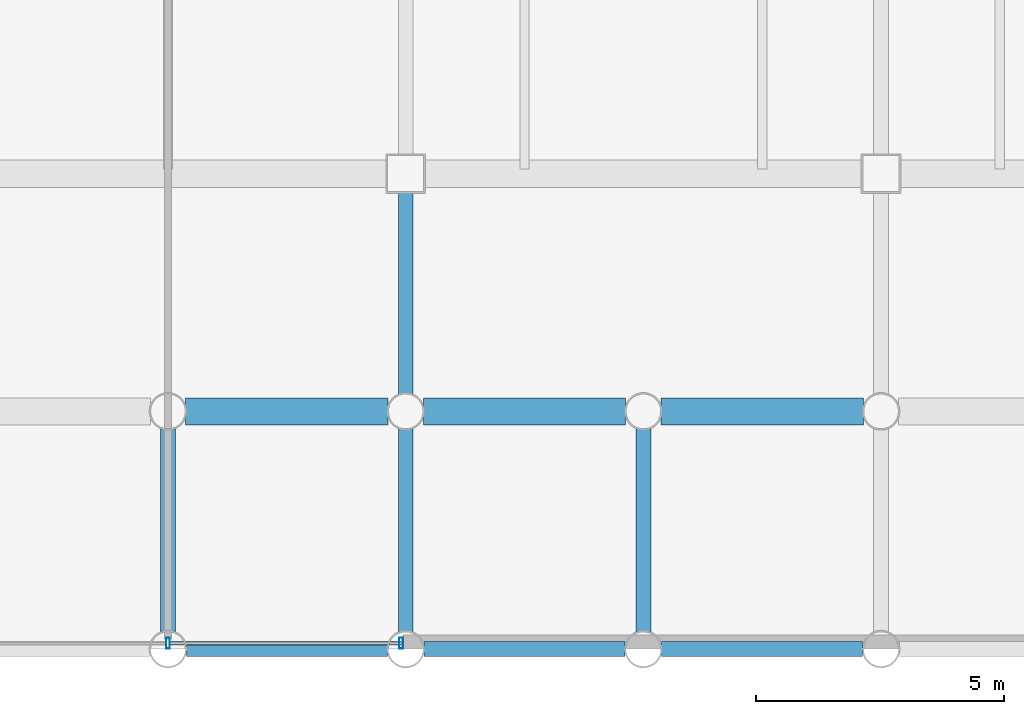
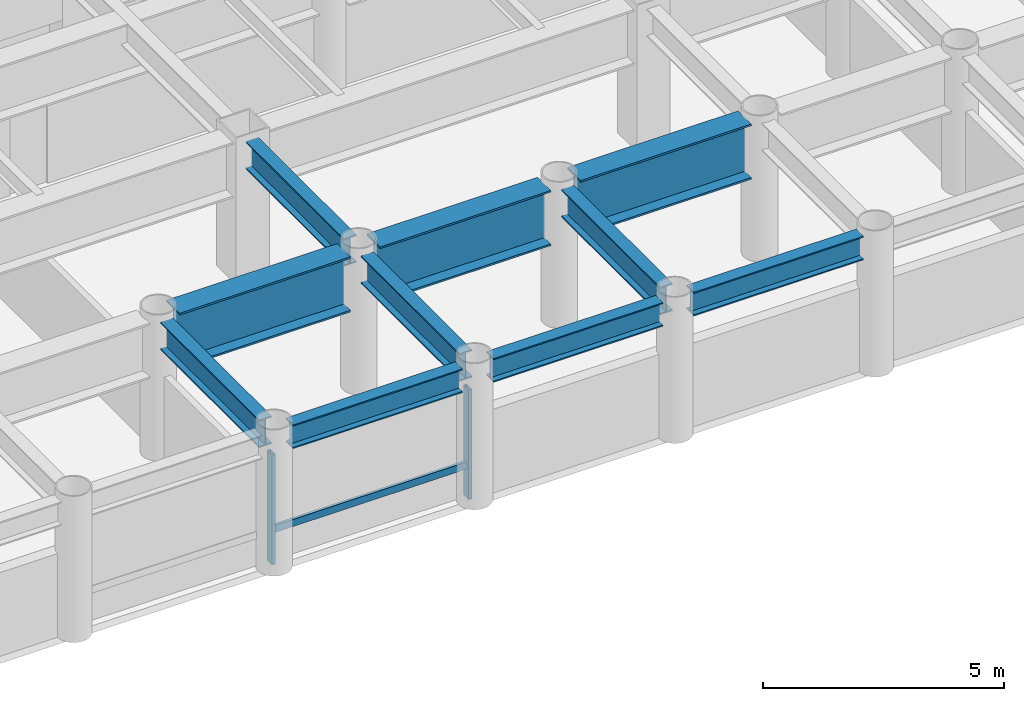
# One storey, part 6 of 22: 10 beams, 3 members, 1 element without a shape of its own.
"""IFC4 building model written with IfcOpenShell, lengths in metres."""

from ifc_helpers import new_model, si_unit, direction, frame, origin, origin_2d, place, context, subcontext, project, spatial, hollow_rectangle, i_section, extrude, material, layer, layer_set, material_profile, profile_set, type_object, element, aggregate, save


model = new_model("IFC4")

# Units and contexts
model_context = context("Model", 3, precision=1e-05, world=origin(), true_north=direction((0.0, 1.0)))
body_context = subcontext(model_context, "Body", "Model", "MODEL_VIEW")
ifc_project = project(units=[si_unit("LENGTHUNIT", "METRE"), si_unit("AREAUNIT", "SQUARE_METRE"), si_unit("VOLUMEUNIT", "CUBIC_METRE"), si_unit("PLANEANGLEUNIT", "RADIAN"), si_unit("MASSUNIT", "GRAM", prefix="KILO")], contexts=[model_context])

# Site, building, storey
site_placement = place(None, origin())
site = spatial("IfcSite", under=ifc_project, at=site_placement, CompositionType="ELEMENT")
building_placement = place(site_placement, origin())
building = spatial("IfcBuilding", under=site, at=building_placement, Name="Kallvorn Hotel Tower", CompositionType="ELEMENT")
storey_placement = place(building_placement, frame((0.0, 0.0, 59.60009765625)))
storey = spatial("IfcBuildingStorey", under=building, at=storey_placement, Name="L13", CompositionType="ELEMENT", Elevation=59.60009765625)

# Beams
ifc_material_1 = material(Name="Structural steel S355JR", Category="steel")
ifc_material_profile_1 = material_profile(ifc_material_1, i_section(OverallWidth=0.300048828125, OverallDepth=0.60009765625, WebThickness=0.015380859375, FlangeThickness=0.030029296875, at=origin_2d()), Name="HE 600 B")
ifc_profile_set_1 = profile_set([ifc_material_profile_1], Name="Structural steel S355JR")
beam_type_1 = type_object("IfcBeamType", Name="BM_HE600B", PredefinedType="SPANDREL", material=ifc_profile_set_1)
beam_1_placement = place(storey_placement, frame((0.37109375, -24.0, 3.219970703125), z_axis=(1.0, 0.0, 0.0), x_axis=(0.0, 1.0, 0.0)))
element("IfcBeam", 1, at=beam_1_placement, inside=storey, type_object=beam_type_1, Name="L14 Perimeter Spandrel 156", PredefinedType="SPANDREL", context=body_context, shape_type="SweptSolid", body=[
    extrude(i_section(OverallWidth=0.300048828125, OverallDepth=0.60009765625, WebThickness=0.015380859375, FlangeThickness=0.030029296875, at=origin_2d()), origin(), (0.0, 0.0, 1.0), 4.057861328125),
])
for number, where, z_axis, x_axis, name in (
    (2, (5.1708984375, -24.0, 3.219970703125), (1.0, 0.0, 0.0), (0.0, 1.0, 0.0), "L14 Perimeter Spandrel 157"),
    (3, (9.970947265625, -24.0, 3.219970703125), (1.0, 0.0, 0.0), (0.0, 1.0, 0.0), "L14 Perimeter Spandrel 158"),
):
    element("IfcBeam", number, at=place(storey_placement, frame(where, z_axis=z_axis, x_axis=x_axis)), inside=storey, type_object=beam_type_1, Name=name, PredefinedType="SPANDREL", context=body_context, shape_type="SweptSolid", body=[
        extrude(i_section(OverallWidth=0.300048828125, OverallDepth=0.60009765625, WebThickness=0.015380859375, FlangeThickness=0.030029296875, at=origin_2d()), origin(), (0.0, 0.0, 1.0), 4.05810546875),
    ])
ifc_material_2 = material(Name="Structural steel S355JR", Category="steel")
ifc_material_profile_2 = material_profile(ifc_material_2, i_section(OverallWidth=0.300048828125, OverallDepth=0.699951171875, WebThickness=0.01708984375, FlangeThickness=0.031982421875, at=origin_2d()), Name="HE 700 B")
ifc_profile_set_2 = profile_set([ifc_material_profile_2], Name="Structural steel S355JR")
beam_type_2 = type_object("IfcBeamType", Name="BM_HE700B", PredefinedType="BEAM", material=ifc_profile_set_2)
for number, where, z_axis, x_axis, name in (
    (4, (0.0, -23.64404296875, 3.169921875), (0.0, 1.0, 0.0), (-1.0, 0.0, 0.0), "L14 Primary Y-Girder 110"),
    (5, (4.800048828125, -23.64404296875, 3.169921875), (0.0, 1.0, 0.0), (-1.0, 0.0, 0.0), "L14 Primary Y-Girder 113"),
):
    element("IfcBeam", number, at=place(storey_placement, frame(where, z_axis=z_axis, x_axis=x_axis)), inside=storey, type_object=beam_type_2, Name=name, PredefinedType="BEAM", context=body_context, shape_type="SweptSolid", body=[
        extrude(i_section(OverallWidth=0.300048828125, OverallDepth=0.699951171875, WebThickness=0.01708984375, FlangeThickness=0.031982421875, at=origin_2d()), origin(), (0.0, 0.0, 1.0), 4.088134765625),
    ])
beam_2_placement = place(storey_placement, frame((4.800048828125, -18.843994140625, 3.169921875), z_axis=(0.0, 1.0, 0.0), x_axis=(-1.0, 0.0, 0.0)))
element("IfcBeam", 6, at=beam_2_placement, inside=storey, type_object=beam_type_2, Name="L14 Primary Y-Girder 114", PredefinedType="BEAM", context=body_context, shape_type="SweptSolid", body=[
    extrude(i_section(OverallWidth=0.300048828125, OverallDepth=0.699951171875, WebThickness=0.01708984375, FlangeThickness=0.031982421875, at=origin_2d()), origin(), (0.0, 0.0, 1.0), 4.069091796875),
])
beam_3_placement = place(storey_placement, frame((9.60009765625, -23.64404296875, 3.169921875), z_axis=(0.0, 1.0, 0.0), x_axis=(-1.0, 0.0, 0.0)))
element("IfcBeam", 7, at=beam_3_placement, inside=storey, type_object=beam_type_2, Name="L14 Primary Y-Girder 118", PredefinedType="BEAM", context=body_context, shape_type="SweptSolid", body=[
    extrude(i_section(OverallWidth=0.300048828125, OverallDepth=0.699951171875, WebThickness=0.01708984375, FlangeThickness=0.031982421875, at=origin_2d()), origin(), (0.0, 0.0, 1.0), 4.088134765625),
])
ifc_material_3 = material(Name="Structural steel S355JR", Category="steel")
ifc_material_profile_3 = material_profile(ifc_material_3, i_section(OverallWidth=0.550048828125, OverallDepth=1.39990234375, WebThickness=0.02490234375, FlangeThickness=0.044921875, at=origin_2d()), Name="PG 1400x550x25x45")
ifc_profile_set_3 = profile_set([ifc_material_profile_3], Name="Structural steel S355JR")
beam_type_3 = type_object("IfcBeamType", Name="BM_PG_1400", PredefinedType="BEAM", material=ifc_profile_set_3)
beam_4_placement = place(storey_placement, frame((0.35595703125, -19.199951171875, 2.81982421875), z_axis=(1.0, 0.0, 0.0), x_axis=(0.0, 1.0, 0.0)))
element("IfcBeam", 8, at=beam_4_placement, inside=storey, type_object=beam_type_3, Name="L14 Primary X-Girder 07", PredefinedType="BEAM", context=body_context, shape_type="SweptSolid", body=[
    extrude(i_section(OverallWidth=0.550048828125, OverallDepth=1.39990234375, WebThickness=0.02490234375, FlangeThickness=0.044921875, at=origin_2d()), origin(), (0.0, 0.0, 1.0), 4.088134765625),
])
for number, where, z_axis, x_axis, name in (
    (9, (5.156005859375, -19.199951171875, 2.81982421875), (1.0, 0.0, 0.0), (0.0, 1.0, 0.0), "L14 Primary X-Girder 08"),
    (10, (9.9560546875, -19.199951171875, 2.81982421875), (1.0, 0.0, 0.0), (0.0, 1.0, 0.0), "L14 Primary X-Girder 09"),
):
    element("IfcBeam", number, at=place(storey_placement, frame(where, z_axis=z_axis, x_axis=x_axis)), inside=storey, type_object=beam_type_3, Name=name, PredefinedType="BEAM", context=body_context, shape_type="SweptSolid", body=[
        extrude(i_section(OverallWidth=0.550048828125, OverallDepth=1.39990234375, WebThickness=0.02490234375, FlangeThickness=0.044921875, at=origin_2d()), origin(), (0.0, 0.0, 1.0), 4.087890625),
    ])

# Curtain wall, members
ifc_material_4 = material(Name="Thermally broken black-anodised aluminium AA 6063-T6", Category="aluminium")
ifc_layer = layer(ifc_material_4, 0.199951171875)
ifc_layer_set = layer_set([ifc_layer], Name="CW_SYS_3_HOTEL_LOW")
curtain_wall_type = type_object("IfcCurtainWallType", Name="CW_SYS_3_HOTEL_LOW", PredefinedType="USERDEFINED", material=ifc_layer_set)
curtain_wall_placement = place(storey_placement, origin())
curtain_wall = element("IfcCurtainWall", 11, at=curtain_wall_placement, inside=storey, type_object=curtain_wall_type, Name="L13 Dark-Glass Curtain Wall CW-L13-SC", ObjectType="UNITISED CURTAIN WALL", PredefinedType="USERDEFINED")
ifc_material_5 = material(Name="Thermally broken black-anodised aluminium AA 6063-T6", Category="aluminium")
ifc_material_profile_4 = material_profile(ifc_material_5, hollow_rectangle(XDim=0.080078125, YDim=0.219970703125, WallThickness=0.0048828125, at=origin_2d()), Name="MUL 220x80")
ifc_profile_set_4 = profile_set([ifc_material_profile_4], Name="Thermally broken black-anodised aluminium AA 6063-T6")
member_type_1 = type_object("IfcMemberType", Name="CW_MULLION_220x80", PredefinedType="MULLION", material=ifc_profile_set_4)
member_1_placement = place(storey_placement, frame((0.0, -23.8798828125, 0.02001953125), z_axis=(0.0, 0.0, 1.0), x_axis=(1.0, 0.0, 0.0)))
member_1 = element("IfcMember", 12, at=member_1_placement, type_object=member_type_1, Name="CW-L13-SC Mullion 01", PredefinedType="MULLION", context=body_context, shape_type="SweptSolid", body=[
    extrude(hollow_rectangle(XDim=0.080078125, YDim=0.219970703125, WallThickness=0.0048828125, at=origin_2d()), origin(), (0.0, 0.0, 1.0), 2.77978515625),
])
member_2_placement = place(storey_placement, frame((4.7099609375, -23.8798828125, 0.02001953125), z_axis=(0.0, 0.0, 1.0), x_axis=(1.0, 0.0, 0.0)))
member_2 = element("IfcMember", 13, at=member_2_placement, type_object=member_type_1, Name="CW-L13-SC Mullion 02", PredefinedType="MULLION", context=body_context, shape_type="SweptSolid", body=[
    extrude(hollow_rectangle(XDim=0.080078125, YDim=0.219970703125, WallThickness=0.0048828125, at=origin_2d()), origin(), (0.0, 0.0, 1.0), 2.77978515625),
])
ifc_material_6 = material(Name="Thermally broken black-anodised aluminium AA 6063-T6", Category="aluminium")
ifc_material_profile_5 = material_profile(ifc_material_6, hollow_rectangle(XDim=0.070068359375, YDim=0.179931640625, WallThickness=0.00390625, at=origin_2d()), Name="TRN 180x70")
ifc_profile_set_5 = profile_set([ifc_material_profile_5], Name="Thermally broken black-anodised aluminium AA 6063-T6")
member_type_2 = type_object("IfcMemberType", Name="CW_TRANSOM_180x70", PredefinedType="USERDEFINED", material=ifc_profile_set_5)
member_3_placement = place(storey_placement, frame((0.0400390625, -23.8798828125, 0.849853515625), z_axis=(1.0, 0.0, 0.0), x_axis=(0.0, 1.0, 0.0)))
member_3 = element("IfcMember", 14, at=member_3_placement, type_object=member_type_2, Name="CW-L13-SC Transom 01M", ObjectType="TRANSOM", PredefinedType="USERDEFINED", context=body_context, shape_type="SweptSolid", body=[
    extrude(hollow_rectangle(XDim=0.070068359375, YDim=0.179931640625, WallThickness=0.00390625, at=origin_2d()), origin(), (0.0, 0.0, 1.0), 4.669921875),
])
aggregate(curtain_wall, [member_1, member_2, member_3])

save(model, "model.ifc")
